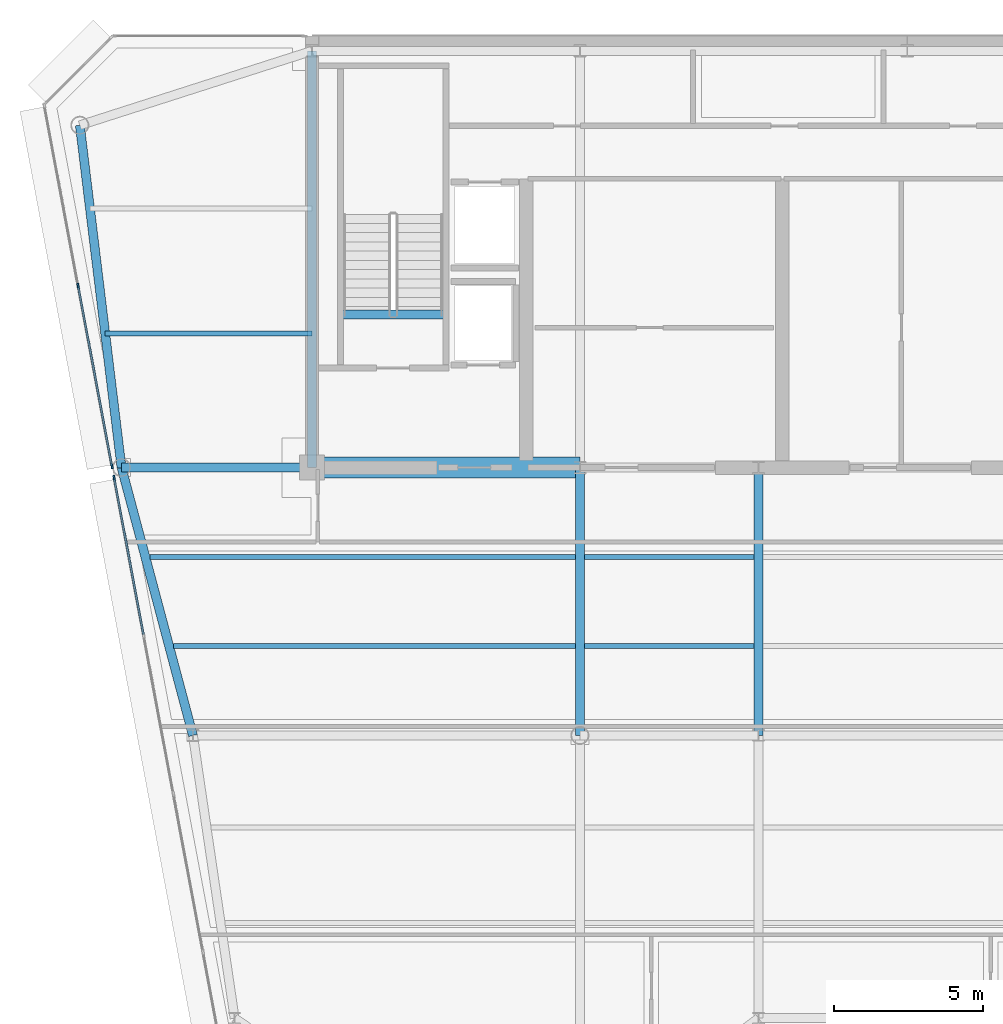
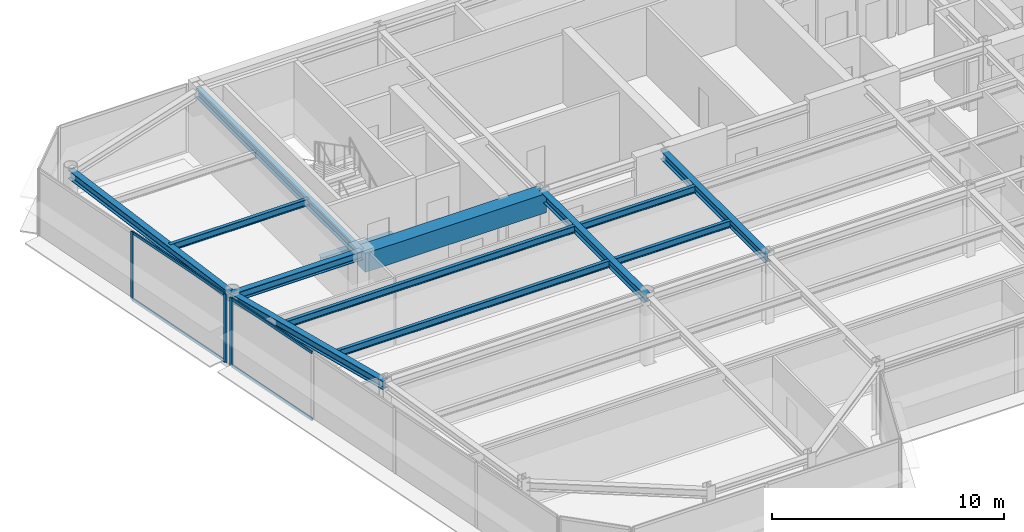
# One storey, part 4 of 19: 13 beams, 7 members, 2 elements without a shape of their own.
"""IFC4 building model written with IfcOpenShell, lengths in metres."""

from ifc_helpers import new_model, si_unit, direction, frame, origin, origin_2d, place, context, subcontext, project, spatial, rectangle, i_section, extrude, source, transform, mapped, material, layer, layer_set, material_profile, profile_set, type_object, element, aggregate, save


model = new_model("IFC4")

# Units and contexts
model_context = context("Model", 3, precision=1e-05, world=origin(), true_north=direction((0.0, 1.0)))
body_context = subcontext(model_context, "Body", "Model", "MODEL_VIEW")
ifc_project = project(units=[si_unit("LENGTHUNIT", "METRE"), si_unit("AREAUNIT", "SQUARE_METRE"), si_unit("VOLUMEUNIT", "CUBIC_METRE"), si_unit("PLANEANGLEUNIT", "RADIAN"), si_unit("MASSUNIT", "GRAM", prefix="KILO")], contexts=[model_context])

# Site, building, storey
site_placement = place(None, origin())
site = spatial("IfcSite", under=ifc_project, at=site_placement, CompositionType="ELEMENT")
building_placement = place(site_placement, origin())
building = spatial("IfcBuilding", under=site, at=building_placement, Name="Vaeldorn Concourse Tower", CompositionType="ELEMENT")
storey_placement = place(building_placement, frame((0.0, 0.0, 287.800048828125)))
storey = spatial("IfcBuildingStorey", under=building, at=storey_placement, Name="L74", CompositionType="ELEMENT", Elevation=287.800048828125)

# Beams
ifc_material_1 = material(Name="Concrete C50/60", Category="concrete")
ifc_material_profile_1 = material_profile(ifc_material_1, rectangle(XDim=0.699951171875, YDim=1.0, at=origin_2d()), Name="RC 700x1000")
ifc_profile_set_1 = profile_set([ifc_material_profile_1], Name="Concrete C50/60")
beam_type_1 = type_object("IfcBeamType", Name="BM-CB-RC700", PredefinedType="BEAM", material=ifc_profile_set_1)
shared_shape_1 = source(origin(), body_context, "Body", "SweptSolid", [
    extrude(rectangle(XDim=0.699951171875, YDim=1.0, at=origin_2d()), origin(), (0.0, 0.0, 1.0), 9.0),
])
beam_1_placement = place(storey_placement, frame((14.0, 36.5, 3.079833984375), z_axis=(1.0, 0.0, 0.0), x_axis=(0.0, 1.0, 0.0)))
element("IfcBeam", 1, at=beam_1_placement, inside=storey, type_object=beam_type_1, Name="Core Coupling Beam L74-1", PredefinedType="BEAM", context=body_context, shape_type="MappedRepresentation", body=[
    mapped(shared_shape_1, transform((0.0, 0.0, 0.0), scale=1.0)),
])
ifc_material_2 = material(Name="Steel S355", Category="steel")
ifc_material_profile_2 = material_profile(ifc_material_2, i_section(OverallWidth=0.300048828125, OverallDepth=0.340087890625, WebThickness=0.011962890625, FlangeThickness=0.021484375, FilletRadius=0.027099609375, at=origin_2d()), Name="HEB 340")
ifc_profile_set_2 = profile_set([ifc_material_profile_2], Name="Steel S355")
beam_type_2 = type_object("IfcBeamType", Name="BM-ST-TRIM", PredefinedType="BEAM", material=ifc_profile_set_2)
shared_shape_2 = source(origin(), body_context, "Body", "SweptSolid", [
    extrude(i_section(OverallWidth=0.300048828125, OverallDepth=0.340087890625, WebThickness=0.011962890625, FlangeThickness=0.021484375, FilletRadius=0.027099609375, at=origin_2d()), origin(), (0.0, 0.0, 1.0), 3.590087890625),
])
beam_2_placement = place(storey_placement, frame((14.929931640625, 41.639892578125, -0.39013671875), z_axis=(1.0, 0.0, 0.0), x_axis=(0.0, 1.0, 0.0)))
element("IfcBeam", 2, at=beam_2_placement, inside=storey, type_object=beam_type_2, Name="Stair Landing Trimmer Beam ST-1 L74", PredefinedType="BEAM", context=body_context, shape_type="MappedRepresentation", body=[
    mapped(shared_shape_2, transform((0.0, 0.0, 0.0), scale=1.0)),
])
ifc_material_profile_3 = material_profile(ifc_material_2, i_section(OverallWidth=0.169921875, OverallDepth=0.360107421875, WebThickness=0.008056640625, FlangeThickness=0.0126953125, FilletRadius=0.01806640625, at=origin_2d()), Name="IPE 360")
ifc_profile_set_3 = profile_set([ifc_material_profile_3], Name="Steel S355")
beam_type_3 = type_object("IfcBeamType", Name="BM-JS-IPE360", PredefinedType="JOIST", material=ifc_profile_set_3)
shared_shape_3 = source(origin(), body_context, "Body", "SweptSolid", [
    extrude(i_section(OverallWidth=0.169921875, OverallDepth=0.360107421875, WebThickness=0.008056640625, FlangeThickness=0.0126953125, FilletRadius=0.01806640625, at=origin_2d()), origin(), (0.0, 0.0, 1.0), 6.94775390625),
])
beam_3_placement = place(storey_placement, frame((7.05224609375, 41.0, 3.39990234375), z_axis=(1.0, 0.0, 0.0), x_axis=(0.0, 1.0, 0.0)))
element("IfcBeam", 3, at=beam_3_placement, inside=storey, type_object=beam_type_3, Name="Beam JS-L74-NW-410", PredefinedType="JOIST", context=body_context, shape_type="MappedRepresentation", body=[
    mapped(shared_shape_3, transform((0.0, 0.0, 0.0), scale=1.0)),
])
shared_shape_4 = source(origin(), body_context, "Body", "SweptSolid", [
    extrude(i_section(OverallWidth=0.169921875, OverallDepth=0.360107421875, WebThickness=0.008056640625, FlangeThickness=0.0126953125, FilletRadius=0.01806640625, at=origin_2d()), origin(), (0.0, 0.0, 1.0), 5.7001953125),
])
for number, where, z_axis, x_axis, name in (
    (4, (23.14990234375, 30.5, 3.39990234375), (1.0, 0.0, 0.0), (0.0, 1.0, 0.0), "Beam JS-L74-W2-305"),
    (5, (23.14990234375, 33.5, 3.39990234375), (1.0, 0.0, 0.0), (0.0, 1.0, 0.0), "Beam JS-L74-W2-335"),
):
    element("IfcBeam", number, at=place(storey_placement, frame(where, z_axis=z_axis, x_axis=x_axis)), inside=storey, type_object=beam_type_3, Name=name, PredefinedType="JOIST", context=body_context, shape_type="MappedRepresentation", body=[
        mapped(shared_shape_4, transform((0.0, 0.0, 0.0), scale=1.0)),
    ])
shared_shape_5 = source(origin(), body_context, "Body", "SweptSolid", [
    extrude(i_section(OverallWidth=0.169921875, OverallDepth=0.360107421875, WebThickness=0.008056640625, FlangeThickness=0.0126953125, FilletRadius=0.01806640625, at=origin_2d()), origin(), (0.0, 0.0, 1.0), 13.5),
])
beam_4_placement = place(storey_placement, frame((9.35009765625, 30.5, 3.39990234375), z_axis=(1.0, 0.0, 0.0), x_axis=(0.0, 1.0, 0.0)))
element("IfcBeam", 6, at=beam_4_placement, inside=storey, type_object=beam_type_3, Name="Beam JS-L74-W1-305", PredefinedType="JOIST", context=body_context, shape_type="MappedRepresentation", body=[
    mapped(shared_shape_5, transform((0.0, 0.0, 0.0), scale=1.0)),
])
shared_shape_6 = source(origin(), body_context, "Body", "SweptSolid", [
    extrude(i_section(OverallWidth=0.169921875, OverallDepth=0.360107421875, WebThickness=0.008056640625, FlangeThickness=0.0126953125, FilletRadius=0.01806640625, at=origin_2d()), origin(), (0.0, 0.0, 1.0), 14.300048828125),
])
beam_5_placement = place(storey_placement, frame((8.550048828125, 33.5, 3.39990234375), z_axis=(1.0, 0.0, 0.0), x_axis=(0.0, 1.0, 0.0)))
element("IfcBeam", 7, at=beam_5_placement, inside=storey, type_object=beam_type_3, Name="Beam JS-L74-W1-335", PredefinedType="JOIST", context=body_context, shape_type="MappedRepresentation", body=[
    mapped(shared_shape_6, transform((0.0, 0.0, 0.0), scale=1.0)),
])
ifc_material_profile_4 = material_profile(ifc_material_2, i_section(OverallWidth=0.300048828125, OverallDepth=0.449951171875, WebThickness=0.013916015625, FlangeThickness=0.02587890625, FilletRadius=0.027099609375, at=origin_2d()), Name="HEB 450")
ifc_profile_set_4 = profile_set([ifc_material_profile_4], Name="Steel S355")
beam_type_4 = type_object("IfcBeamType", Name="BM-PG-HEB450", PredefinedType="BEAM", material=ifc_profile_set_4)
shared_shape_7 = source(origin(), body_context, "Body", "SweptSolid", [
    extrude(i_section(OverallWidth=0.300048828125, OverallDepth=0.449951171875, WebThickness=0.013916015625, FlangeThickness=0.02587890625, FilletRadius=0.027099609375, at=origin_2d()), origin(), (0.0, 0.0, 1.0), 9.0),
])
for number, where, z_axis, x_axis, name in (
    (8, (23.0, 27.5, 3.35498046875), (0.0, 1.0, 0.0), (-1.0, 0.0, 0.0), "Beam BM-L74-C-TW1-C-FC2"),
    (9, (29.0, 27.5, 3.35498046875), (0.0, 1.0, 0.0), (-1.0, 0.0, 0.0), "Beam BM-L74-C-TW2-C-FC3"),
):
    element("IfcBeam", number, at=place(storey_placement, frame(where, z_axis=z_axis, x_axis=x_axis)), inside=storey, type_object=beam_type_4, Name=name, PredefinedType="BEAM", context=body_context, shape_type="MappedRepresentation", body=[
        mapped(shared_shape_7, transform((0.0, 0.0, 0.0), scale=1.0)),
    ])
shared_shape_8 = source(origin(), body_context, "Body", "SweptSolid", [
    extrude(i_section(OverallWidth=0.300048828125, OverallDepth=0.449951171875, WebThickness=0.013916015625, FlangeThickness=0.02587890625, FilletRadius=0.027099609375, at=origin_2d()), origin(), (0.0, 0.0, 1.0), 14.0),
])
beam_6_placement = place(storey_placement, frame((14.0, 36.5, 3.35498046875), z_axis=(0.0, 1.0, 0.0), x_axis=(-1.0, 0.0, 0.0)))
element("IfcBeam", 10, at=beam_6_placement, inside=storey, type_object=beam_type_4, Name="Beam BM-L74-C-FC1-C-HC1", PredefinedType="BEAM", context=body_context, shape_type="MappedRepresentation", body=[
    mapped(shared_shape_8, transform((0.0, 0.0, 0.0), scale=1.0)),
])
shared_shape_9 = source(origin(), body_context, "Body", "SweptSolid", [
    extrude(i_section(OverallWidth=0.300048828125, OverallDepth=0.449951171875, WebThickness=0.013916015625, FlangeThickness=0.02587890625, FilletRadius=0.027099609375, at=origin_2d()), origin(), (0.0, 0.0, 1.0), 11.5849609375),
])
beam_7_placement = place(storey_placement, frame((6.199951171875, 48.0, 3.35498046875), z_axis=(0.120859382899, -0.992669637677, 0.0), x_axis=(0.992669637677, 0.120859382899, 0.0)))
element("IfcBeam", 11, at=beam_7_placement, inside=storey, type_object=beam_type_4, Name="Beam BM-L74-C-NW1-C-NW2", PredefinedType="BEAM", context=body_context, shape_type="MappedRepresentation", body=[
    mapped(shared_shape_9, transform((0.0, 0.0, 0.0), scale=1.0)),
])
shared_shape_10 = source(origin(), body_context, "Body", "SweptSolid", [
    extrude(i_section(OverallWidth=0.300048828125, OverallDepth=0.449951171875, WebThickness=0.013916015625, FlangeThickness=0.02587890625, FilletRadius=0.027099609375, at=origin_2d()), origin(), (0.0, 0.0, 1.0), 6.39990234375),
])
beam_8_placement = place(storey_placement, frame((7.60009765625, 36.5, 3.35498046875), z_axis=(1.0, 0.0, 0.0), x_axis=(0.0, 1.0, 0.0)))
element("IfcBeam", 12, at=beam_8_placement, inside=storey, type_object=beam_type_4, Name="Beam BM-L74-C-NW2-C-FC1", PredefinedType="BEAM", context=body_context, shape_type="MappedRepresentation", body=[
    mapped(shared_shape_10, transform((0.0, 0.0, 0.0), scale=1.0)),
])
shared_shape_11 = source(origin(), body_context, "Body", "SweptSolid", [
    extrude(i_section(OverallWidth=0.300048828125, OverallDepth=0.449951171875, WebThickness=0.013916015625, FlangeThickness=0.02587890625, FilletRadius=0.027099609375, at=origin_2d()), origin(), (0.0, 0.0, 1.0), 9.314453125),
])
beam_9_placement = place(storey_placement, frame((7.60009765625, 36.5, 3.35498046875), z_axis=(0.257652862255, -0.966237549763, 0.0), x_axis=(0.966237549763, 0.257652862255, 0.0)))
element("IfcBeam", 13, at=beam_9_placement, inside=storey, type_object=beam_type_4, Name="Beam BM-L74-C-NW2-C-FLW1", PredefinedType="BEAM", context=body_context, shape_type="MappedRepresentation", body=[
    mapped(shared_shape_11, transform((0.0, 0.0, 0.0), scale=1.0)),
])

# Curtain wall, members
ifc_material_3 = material(Name="Anodised Bronze Aluminium", Category="aluminium")
ifc_layer = layer(ifc_material_3, 0.179931640625)
ifc_layer_set = layer_set([ifc_layer], Name="Anodised Bronze Aluminium")
curtain_wall_type = type_object("IfcCurtainWallType", Name="CW-SYS-05", PredefinedType="NOTDEFINED", material=ifc_layer_set)
curtain_wall_1_placement = place(storey_placement, origin())
curtain_wall_1 = element("IfcCurtainWall", 14, at=curtain_wall_1_placement, inside=storey, type_object=curtain_wall_type, Name="Unitised Curtain Wall CW-L74-E11-1", PredefinedType="NOTDEFINED")
ifc_material_profile_5 = material_profile(ifc_material_3, rectangle(XDim=0.06494140625, YDim=0.169921875, at=origin_2d()), Name="CWM 65x170")
ifc_profile_set_5 = profile_set([ifc_material_profile_5], Name="Anodised Bronze Aluminium")
member_type_1 = type_object("IfcMemberType", Name="CWM-BRONZE-170", PredefinedType="MULLION", material=ifc_profile_set_5)
shared_shape_12 = source(origin(), body_context, "Body", "SweptSolid", [
    extrude(rectangle(XDim=0.06494140625, YDim=0.169921875, at=origin_2d()), origin(), (0.0, 0.0, 1.0), 3.579833984375),
])
member_1_placement = place(storey_placement, frame((6.142578125, 42.605224609375, 0.0), z_axis=(0.0, 0.0, 1.0), x_axis=(0.982880218842, 0.184245693053, 0.0)))
member_1 = element("IfcMember", 15, at=member_1_placement, type_object=member_type_1, Name="CW-05 mullion 2", PredefinedType="MULLION", context=body_context, shape_type="MappedRepresentation", body=[
    mapped(shared_shape_12, transform((0.0, 0.0, 0.0), scale=1.0)),
])
member_2_placement = place(storey_placement, frame((7.279052734375, 36.542236328125, 0.0), z_axis=(0.0, 0.0, 1.0), x_axis=(0.982880218842, 0.184245693053, 0.0)))
member_2 = element("IfcMember", 16, at=member_2_placement, type_object=member_type_1, Name="CW-05 mullion 3", PredefinedType="MULLION", context=body_context, shape_type="MappedRepresentation", body=[
    mapped(shared_shape_12, transform((0.0, 0.0, 0.0), scale=1.0)),
])

curtain_wall_2_placement = place(storey_placement, origin())
curtain_wall_2 = element("IfcCurtainWall", 17, at=curtain_wall_2_placement, inside=storey, type_object=curtain_wall_type, Name="Unitised Curtain Wall CW-L74-E11-2", PredefinedType="NOTDEFINED")
member_3_placement = place(storey_placement, frame((7.35205078125, 36.153076171875, 0.0), z_axis=(0.0, 0.0, 1.0), x_axis=(0.982880027444, 0.184246714088, 0.0)))
member_3 = element("IfcMember", 18, at=member_3_placement, type_object=member_type_1, Name="CW-05 mullion 1", PredefinedType="MULLION", context=body_context, shape_type="MappedRepresentation", body=[
    mapped(shared_shape_12, transform((0.0, 0.0, 0.0), scale=1.0)),
])
ifc_material_profile_6 = material_profile(ifc_material_3, rectangle(XDim=0.06494140625, YDim=0.14990234375, at=origin_2d()), Name="CWT 65x150")
ifc_profile_set_6 = profile_set([ifc_material_profile_6], Name="Anodised Bronze Aluminium")
member_type_2 = type_object("IfcMemberType", Name="CWT-BRONZE-150", PredefinedType="USERDEFINED", material=ifc_profile_set_6)
shared_shape_13 = source(origin(), body_context, "Body", "SweptSolid", [
    extrude(rectangle(XDim=0.06494140625, YDim=0.14990234375, at=origin_2d()), origin(), (0.0, 0.0, 1.0), 5.31640625),
])
member_4_placement = place(storey_placement, frame((7.35791015625, 36.12109375, 0.032470703125), z_axis=(0.184241399207, -0.982881023735, 0.0), x_axis=(0.982881023735, 0.184241399207, 0.0)))
member_4 = element("IfcMember", 19, at=member_4_placement, type_object=member_type_2, Name="CW-05 transom 1.1", ObjectType="TRANSOM", PredefinedType="USERDEFINED", context=body_context, shape_type="MappedRepresentation", body=[
    mapped(shared_shape_13, transform((0.0, 0.0, 0.0), scale=1.0)),
])
member_5_placement = place(storey_placement, frame((7.35791015625, 36.12109375, 3.54736328125), z_axis=(0.184241399207, -0.982881023735, 0.0), x_axis=(0.982881023735, 0.184241399207, 0.0)))
member_5 = element("IfcMember", 20, at=member_5_placement, type_object=member_type_2, Name="CW-05 transom 1.2", ObjectType="TRANSOM", PredefinedType="USERDEFINED", context=body_context, shape_type="MappedRepresentation", body=[
    mapped(shared_shape_13, transform((0.0, 0.0, 0.0), scale=1.0)),
])
aggregate(curtain_wall_2, [member_3, member_4, member_5])

# Member
shared_shape_14 = source(origin(), body_context, "Body", "SweptSolid", [
    extrude(rectangle(XDim=0.06494140625, YDim=0.14990234375, at=origin_2d()), origin(), (0.0, 0.0, 1.0), 6.103515625),
])
member_6_placement = place(storey_placement, frame((6.1484375, 42.5732421875, 0.032470703125), z_axis=(0.18424023288, -0.982881242363, 0.0), x_axis=(0.982881242363, 0.18424023288, 0.0)))
member_6 = element("IfcMember", 21, at=member_6_placement, type_object=member_type_2, Name="CW-05 transom 2.1", ObjectType="TRANSOM", PredefinedType="USERDEFINED", context=body_context, shape_type="MappedRepresentation", body=[
    mapped(shared_shape_14, transform((0.0, 0.0, 0.0), scale=1.0)),
])

member_7_placement = place(storey_placement, frame((6.1484375, 42.5732421875, 3.54736328125), z_axis=(0.18424023288, -0.982881242363, 0.0), x_axis=(0.982881242363, 0.18424023288, 0.0)))
member_7 = element("IfcMember", 22, at=member_7_placement, type_object=member_type_2, Name="CW-05 transom 2.2", ObjectType="TRANSOM", PredefinedType="USERDEFINED", context=body_context, shape_type="MappedRepresentation", body=[
    mapped(shared_shape_14, transform((0.0, 0.0, 0.0), scale=1.0)),
])

aggregate(curtain_wall_1, [member_1, member_2, member_6, member_7])

save(model, "model.ifc")
